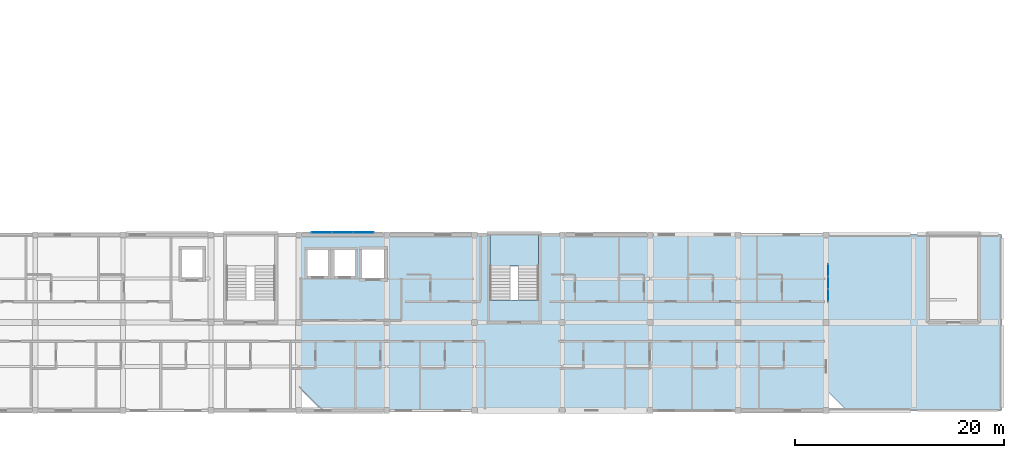
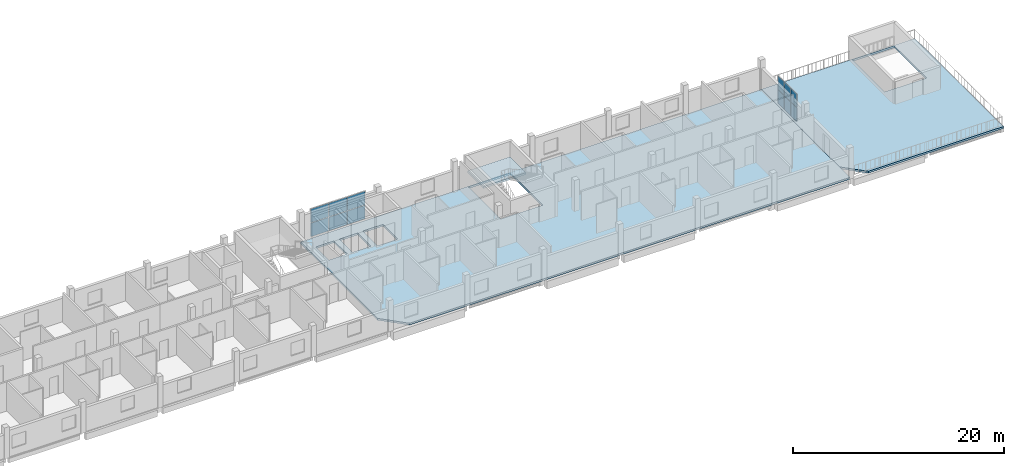
# One storey, part 10 of 26: 12 plates, 3 slabs, 3 elements without a shape of their own.
"""IFC4 building model written with IfcOpenShell, lengths in metres."""

from ifc_helpers import new_model, si_unit, derived_unit, direction, frame, origin, origin_2d, place, context, subcontext, project, spatial, polyline, rectangle, outline, extrude, material, layer, layer_set, type_object, element, aggregate, save


model = new_model("IFC4")

# Units and contexts
model_context = context("Model", 3, precision=1e-05, world=origin(), true_north=direction((0.0, 1.0)))
body_context = subcontext(model_context, "Body", "Model", "MODEL_VIEW")
ifc_project = project(units=[si_unit("LENGTHUNIT", "METRE"), si_unit("AREAUNIT", "SQUARE_METRE"), si_unit("VOLUMEUNIT", "CUBIC_METRE"), si_unit("PLANEANGLEUNIT", "RADIAN"), si_unit("MASSUNIT", "GRAM", prefix="KILO"), derived_unit("THERMALTRANSMITTANCEUNIT", [(si_unit("POWERUNIT", "WATT"), 1), (si_unit("LENGTHUNIT", "METRE"), -2), (si_unit("THERMODYNAMICTEMPERATUREUNIT", "KELVIN"), -1)])], contexts=[model_context])

# Site, building, storey
site_placement = place(None, origin())
site = spatial("IfcSite", under=ifc_project, at=site_placement, CompositionType="ELEMENT")
building_placement = place(site_placement, origin())
building = spatial("IfcBuilding", under=site, at=building_placement, Name="Barrovel Congress Hotel", CompositionType="ELEMENT")
storey_placement = place(building_placement, frame((0.0, 0.0, 32.699951171875)))
storey = spatial("IfcBuildingStorey", under=building, at=storey_placement, Name="L08", CompositionType="ELEMENT", Elevation=32.699951171875)

# Curtain wall, plates
ifc_material_1 = material(Name="Anodised Aluminium Alloy 6063-T6", Category="aluminium")
curtain_wall_type_1 = type_object("IfcCurtainWallType", Name="CW-UN-6000x3200", PredefinedType="USERDEFINED", material=ifc_material_1)
curtain_wall_1_placement = place(storey_placement, origin())
curtain_wall_1 = element("IfcCurtainWall", 1, at=curtain_wall_1_placement, inside=storey, type_object=curtain_wall_type_1, Name="CW:L08:UN-4", ObjectType="UNITISED CURTAIN WALL", PredefinedType="USERDEFINED")
ifc_material_2 = material(Name="Double Low-E Insulated Glazing", Category="glass")
ifc_layer_1 = layer(ifc_material_2, 0.028076171875)
ifc_layer_set_1 = layer_set([ifc_layer_1], Name="Double Low-E Insulated Glazing")
plate_type_1 = type_object("IfcPlateType", Name="CWP-28", PredefinedType="CURTAIN_PANEL", material=ifc_layer_set_1)
plate_1_placement = place(storey_placement, frame((86.199951171875, 21.219970703125, 0.030029296875), z_axis=(0.0, 0.0, 1.0), x_axis=(1.0, 0.0, 0.0)))
plate_1 = element("IfcPlate", 2, at=plate_1_placement, type_object=plate_type_1, Name="CW:L08:UN-4:P0-0", PredefinedType="CURTAIN_PANEL", context=body_context, shape_type="SweptSolid", body=[
    extrude(rectangle(XDim=1.93994140625, YDim=0.028076171875, at=origin_2d()), origin(), (0.0, 0.0, 1.0), 1.56494140625),
])
plate_2_placement = place(storey_placement, frame((86.199951171875, 21.219970703125, 1.655029296875), z_axis=(0.0, 0.0, 1.0), x_axis=(1.0, 0.0, 0.0)))
plate_2 = element("IfcPlate", 3, at=plate_2_placement, type_object=plate_type_1, Name="CW:L08:UN-4:P0-1", PredefinedType="CURTAIN_PANEL", context=body_context, shape_type="SweptSolid", body=[
    extrude(rectangle(XDim=1.93994140625, YDim=0.028076171875, at=origin_2d()), origin(), (0.0, 0.0, 1.0), 1.56494140625),
])
plate_3_placement = place(storey_placement, frame((88.199951171875, 21.219970703125, 0.030029296875), z_axis=(0.0, 0.0, 1.0), x_axis=(1.0, 0.0, 0.0)))
plate_3 = element("IfcPlate", 4, at=plate_3_placement, type_object=plate_type_1, Name="CW:L08:UN-4:P1-0", PredefinedType="CURTAIN_PANEL", context=body_context, shape_type="SweptSolid", body=[
    extrude(rectangle(XDim=1.93994140625, YDim=0.028076171875, at=origin_2d()), origin(), (0.0, 0.0, 1.0), 1.56494140625),
])
plate_4_placement = place(storey_placement, frame((88.199951171875, 21.219970703125, 1.655029296875), z_axis=(0.0, 0.0, 1.0), x_axis=(1.0, 0.0, 0.0)))
plate_4 = element("IfcPlate", 5, at=plate_4_placement, type_object=plate_type_1, Name="CW:L08:UN-4:P1-1", PredefinedType="CURTAIN_PANEL", context=body_context, shape_type="SweptSolid", body=[
    extrude(rectangle(XDim=1.93994140625, YDim=0.028076171875, at=origin_2d()), origin(), (0.0, 0.0, 1.0), 1.56494140625),
])
plate_5_placement = place(storey_placement, frame((90.199951171875, 21.219970703125, 0.030029296875), z_axis=(0.0, 0.0, 1.0), x_axis=(1.0, 0.0, 0.0)))
plate_5 = element("IfcPlate", 6, at=plate_5_placement, type_object=plate_type_1, Name="CW:L08:UN-4:P2-0", PredefinedType="CURTAIN_PANEL", context=body_context, shape_type="SweptSolid", body=[
    extrude(rectangle(XDim=1.93994140625, YDim=0.028076171875, at=origin_2d()), origin(), (0.0, 0.0, 1.0), 1.56494140625),
])
plate_6_placement = place(storey_placement, frame((90.199951171875, 21.219970703125, 1.655029296875), z_axis=(0.0, 0.0, 1.0), x_axis=(1.0, 0.0, 0.0)))
plate_6 = element("IfcPlate", 7, at=plate_6_placement, type_object=plate_type_1, Name="CW:L08:UN-4:P2-1", PredefinedType="CURTAIN_PANEL", context=body_context, shape_type="SweptSolid", body=[
    extrude(rectangle(XDim=1.93994140625, YDim=0.028076171875, at=origin_2d()), origin(), (0.0, 0.0, 1.0), 1.56494140625),
])
aggregate(curtain_wall_1, [plate_1, plate_2, plate_3, plate_4, plate_5, plate_6])

curtain_wall_type_2 = type_object("IfcCurtainWallType", Name="CW-UN-3600x3200", PredefinedType="USERDEFINED", material=ifc_material_1)
curtain_wall_2_placement = place(storey_placement, origin())
curtain_wall_2 = element("IfcCurtainWall", 8, at=curtain_wall_2_placement, inside=storey, type_object=curtain_wall_type_2, Name="CW:L08:UN-1", ObjectType="UNITISED CURTAIN WALL", PredefinedType="USERDEFINED")
ifc_layer_2 = layer(ifc_material_2, 0.031982421875)
ifc_layer_set_2 = layer_set([ifc_layer_2], Name="Double Low-E Insulated Glazing")
plate_type_2 = type_object("IfcPlateType", Name="CWP-32", PredefinedType="CURTAIN_PANEL", material=ifc_layer_set_2)
plate_7_placement = place(storey_placement, frame((134.6201171875, 15.199951171875, 0.030029296875), z_axis=(0.0, 0.0, 1.0), x_axis=(0.0, 1.0, 0.0)))
plate_7 = element("IfcPlate", 9, at=plate_7_placement, type_object=plate_type_2, Name="CW:L08:UN-1:P0-0", PredefinedType="CURTAIN_PANEL", context=body_context, shape_type="SweptSolid", body=[
    extrude(rectangle(XDim=1.139892578125, YDim=0.031982421875, at=origin_2d()), origin(), (0.0, 0.0, 1.0), 1.56494140625),
])
plate_8_placement = place(storey_placement, frame((134.6201171875, 15.199951171875, 1.655029296875), z_axis=(0.0, 0.0, 1.0), x_axis=(0.0, 1.0, 0.0)))
plate_8 = element("IfcPlate", 10, at=plate_8_placement, type_object=plate_type_2, Name="CW:L08:UN-1:P0-1", PredefinedType="CURTAIN_PANEL", context=body_context, shape_type="SweptSolid", body=[
    extrude(rectangle(XDim=1.139892578125, YDim=0.031982421875, at=origin_2d()), origin(), (0.0, 0.0, 1.0), 1.56494140625),
])
plate_9_placement = place(storey_placement, frame((134.6201171875, 16.39990234375, 0.030029296875), z_axis=(0.0, 0.0, 1.0), x_axis=(0.0, 1.0, 0.0)))
plate_9 = element("IfcPlate", 11, at=plate_9_placement, type_object=plate_type_2, Name="CW:L08:UN-1:P1-0", PredefinedType="CURTAIN_PANEL", context=body_context, shape_type="SweptSolid", body=[
    extrude(rectangle(XDim=1.139892578125, YDim=0.031982421875, at=origin_2d()), origin(), (0.0, 0.0, 1.0), 1.56494140625),
])
plate_10_placement = place(storey_placement, frame((134.6201171875, 16.39990234375, 1.655029296875), z_axis=(0.0, 0.0, 1.0), x_axis=(0.0, 1.0, 0.0)))
plate_10 = element("IfcPlate", 12, at=plate_10_placement, type_object=plate_type_2, Name="CW:L08:UN-1:P1-1", PredefinedType="CURTAIN_PANEL", context=body_context, shape_type="SweptSolid", body=[
    extrude(rectangle(XDim=1.139892578125, YDim=0.031982421875, at=origin_2d()), origin(), (0.0, 0.0, 1.0), 1.56494140625),
])
plate_11_placement = place(storey_placement, frame((134.6201171875, 17.60009765625, 0.030029296875), z_axis=(0.0, 0.0, 1.0), x_axis=(0.0, 1.0, 0.0)))
plate_11 = element("IfcPlate", 13, at=plate_11_placement, type_object=plate_type_2, Name="CW:L08:UN-1:P2-0", PredefinedType="CURTAIN_PANEL", context=body_context, shape_type="SweptSolid", body=[
    extrude(rectangle(XDim=1.139892578125, YDim=0.031982421875, at=origin_2d()), origin(), (0.0, 0.0, 1.0), 1.56494140625),
])
plate_12_placement = place(storey_placement, frame((134.6201171875, 17.60009765625, 1.655029296875), z_axis=(0.0, 0.0, 1.0), x_axis=(0.0, 1.0, 0.0)))
plate_12 = element("IfcPlate", 14, at=plate_12_placement, type_object=plate_type_2, Name="CW:L08:UN-1:P2-1", PredefinedType="CURTAIN_PANEL", context=body_context, shape_type="SweptSolid", body=[
    extrude(rectangle(XDim=1.139892578125, YDim=0.031982421875, at=origin_2d()), origin(), (0.0, 0.0, 1.0), 1.56494140625),
])
aggregate(curtain_wall_2, [plate_7, plate_8, plate_9, plate_10, plate_11, plate_12])

# Slabs
ifc_material_3 = material(Name="Concrete C35", Category="concrete")
ifc_layer_3 = layer(ifc_material_3, 0.219970703125)
ifc_layer_set_3 = layer_set([ifc_layer_3], Name="Concrete C35")
slab_type_1 = type_object("IfcSlabType", Name="SL-F220", PredefinedType="FLOOR", material=ifc_layer_set_3)
slab_1_placement = place(storey_placement, frame((0.0, 0.0, -0.219970703125)))
element("IfcSlab", 15, at=slab_1_placement, inside=storey, type_object=slab_type_1, Name="SLAB:L08:HOT-S2", PredefinedType="FLOOR", context=body_context, shape_type="SweptSolid", body=[
    extrude(outline(polyline([(86.199951171875, 4.199951171875), (134.39990234375, 4.199951171875), (134.39990234375, 21.0), (84.0, 21.0), (84.0, 6.39990234375), (86.199951171875, 4.199951171875)]), holes=[polyline([(102.300048828125, 14.780029296875), (102.300048828125, 20.919921875), (106.89990234375, 20.919921875), (106.89990234375, 14.780029296875), (102.300048828125, 14.780029296875)]), polyline([(84.800048828125, 17.050048828125), (84.800048828125, 19.550048828125), (86.800048828125, 19.550048828125), (86.800048828125, 17.050048828125), (84.800048828125, 17.050048828125)]), polyline([(87.39990234375, 17.050048828125), (87.39990234375, 19.550048828125), (89.39990234375, 19.550048828125), (89.39990234375, 17.050048828125), (87.39990234375, 17.050048828125)]), polyline([(90.0, 16.800048828125), (90.0, 19.60009765625), (92.199951171875, 19.60009765625), (92.199951171875, 16.800048828125), (90.0, 16.800048828125)])]), origin(), (0.0, 0.0, 1.0), 0.219970703125),
])
slab_2_placement = place(storey_placement, frame((0.0, 0.0, -0.219970703125)))
element("IfcSlab", 16, at=slab_2_placement, inside=storey, type_object=slab_type_1, Name="SLAB:L08:TERR-E", PredefinedType="FLOOR", context=body_context, shape_type="SweptSolid", body=[
    extrude(outline(polyline([(136.39990234375, 4.199951171875), (151.199951171875, 4.199951171875), (151.199951171875, 21.0), (134.39990234375, 21.0), (134.39990234375, 6.199951171875), (136.39990234375, 4.199951171875)]), holes=[polyline([(144.300048828125, 14.780029296875), (144.300048828125, 20.919921875), (148.89990234375, 20.919921875), (148.89990234375, 14.780029296875), (144.300048828125, 14.780029296875)])]), origin(), (0.0, 0.0, 1.0), 0.219970703125),
])

# Stair, slab
ifc_material_4 = material(Name="Concrete C40", Category="concrete")
stair_type = type_object("IfcStairType", Name="STR-HT-360", PredefinedType="HALF_TURN_STAIR", material=ifc_material_4)
stair_placement = place(storey_placement, origin())
stair = element("IfcStair", 17, at=stair_placement, inside=storey, type_object=stair_type, Name="Exit Stair XS-03 (L08)", PredefinedType="HALF_TURN_STAIR")
ifc_layer_4 = layer(ifc_material_4, 0.22998046875)
ifc_layer_set_4 = layer_set([ifc_layer_4], Name="Concrete C40")
slab_type_2 = type_object("IfcSlabType", Name="SL-LDG-230", PredefinedType="LANDING", material=ifc_layer_set_4)
slab_3_placement = place(storey_placement, frame((0.0, 0.0, 1.570068359375)))
slab_3 = element("IfcSlab", 18, at=slab_3_placement, type_object=slab_type_2, Name="STAIR:XS-03:L08:LDG", PredefinedType="LANDING", context=body_context, shape_type="SweptSolid", body=[
    extrude(outline(polyline([(102.280029296875, 18.010009765625), (106.919921875, 18.010009765625), (106.919921875, 21.02001953125), (102.280029296875, 21.02001953125), (102.280029296875, 18.010009765625)])), origin(), (0.0, 0.0, 1.0), 0.22998046875),
])
aggregate(stair, [slab_3])

save(model, "model.ifc")
